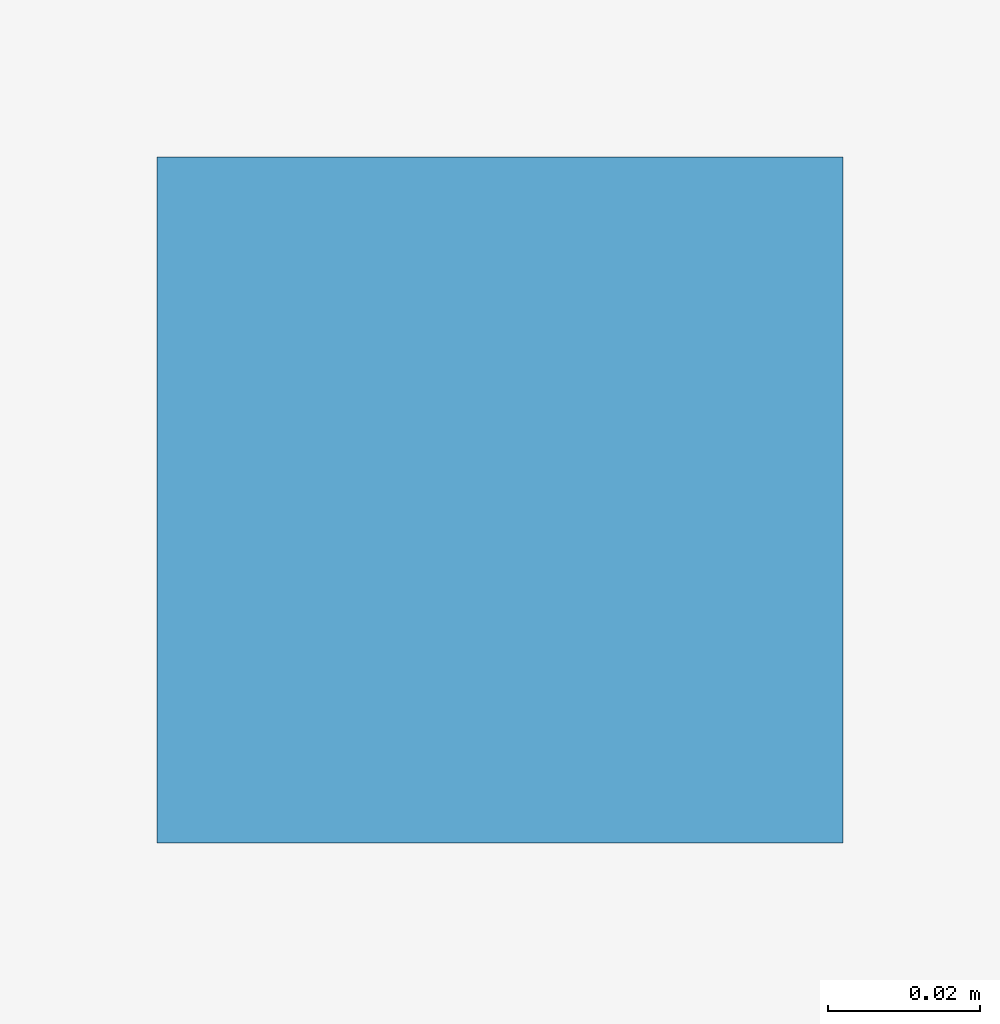
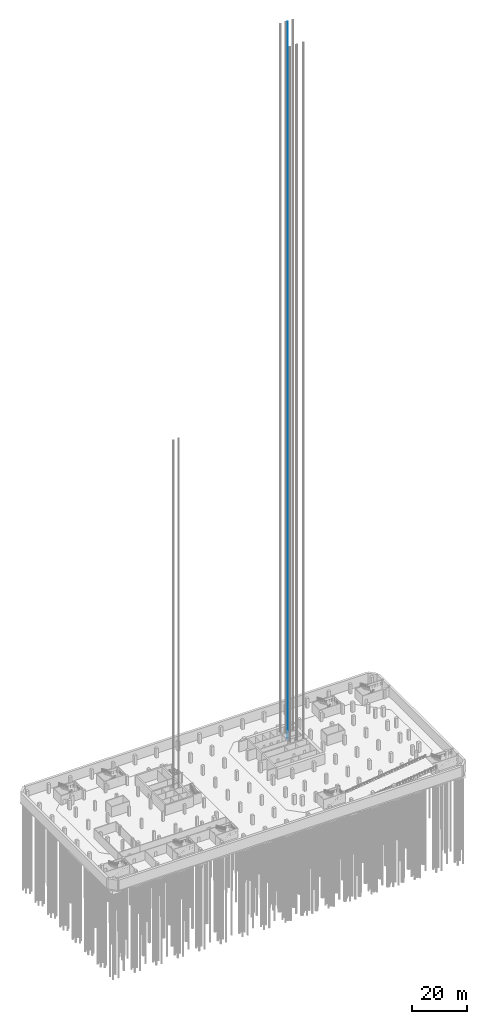
# One storey, part 14 of 30: 1 member.
"""IFC4 building model written with IfcOpenShell, lengths in metres."""

from ifc_helpers import new_model, si_unit, direction, frame, origin, origin_2d, place, context, subcontext, project, spatial, rectangle, extrude, material, material_profile, profile_set, type_object, element, save


model = new_model("IFC4")

# Units and contexts
model_context = context("Model", 3, precision=1e-05, world=origin(), true_north=direction((0.0, 1.0)))
body_context = subcontext(model_context, "Body", "Model", "MODEL_VIEW")
ifc_project = project(units=[si_unit("LENGTHUNIT", "METRE"), si_unit("AREAUNIT", "SQUARE_METRE"), si_unit("VOLUMEUNIT", "CUBIC_METRE"), si_unit("PLANEANGLEUNIT", "RADIAN"), si_unit("MASSUNIT", "GRAM", prefix="KILO")], contexts=[model_context])

# Site, building, storey
site_placement = place(None, origin())
site = spatial("IfcSite", under=ifc_project, at=site_placement, CompositionType="ELEMENT")
building_placement = place(site_placement, origin())
building = spatial("IfcBuilding", under=site, at=building_placement, Name="Cinnabar Reach Civic Tower", CompositionType="ELEMENT")
storey_placement = place(building_placement, frame((0.0, 0.0, -14.0)))
storey = spatial("IfcBuildingStorey", under=building, at=storey_placement, Name="B3", CompositionType="ELEMENT", Elevation=-14.0)

# Member
ifc_material = material(Name="Steel Q355B", Category="steel")
ifc_material_profile = material_profile(ifc_material, rectangle(XDim=0.09, YDim=0.09, at=origin_2d()), Name="T1 lift guide rail")
ifc_profile_set = profile_set([ifc_material_profile], Name="Steel Q355B")
member_type = type_object("IfcMemberType", Name="T1 lift guide rail", PredefinedType="USERDEFINED", material=ifc_profile_set)
member_placement = place(storey_placement, frame((19.87, 40.25, 0.0), z_axis=(0.0, 0.0, 1.0), x_axis=(1.0, 0.0, 0.0)))
element("IfcMember", 1, at=member_placement, inside=storey, type_object=member_type, Name="T1-FF2 guide rail 1", ObjectType="GUIDE RAIL", PredefinedType="USERDEFINED", context=body_context, shape_type="SweptSolid", body=[
    extrude(rectangle(XDim=0.09, YDim=0.09, at=origin_2d()), origin(), (0.0, 0.0, 1.0), 316.7),
])

save(model, "model.ifc")
